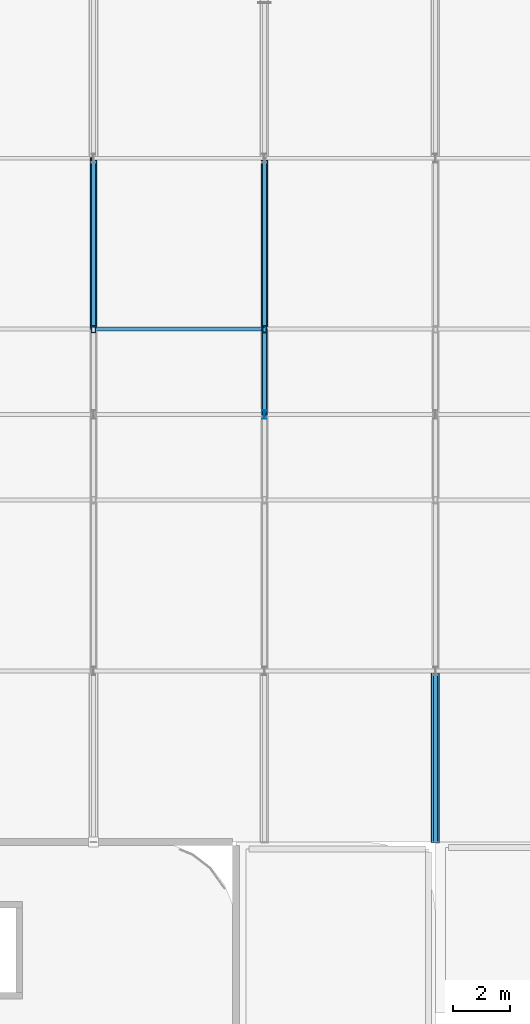
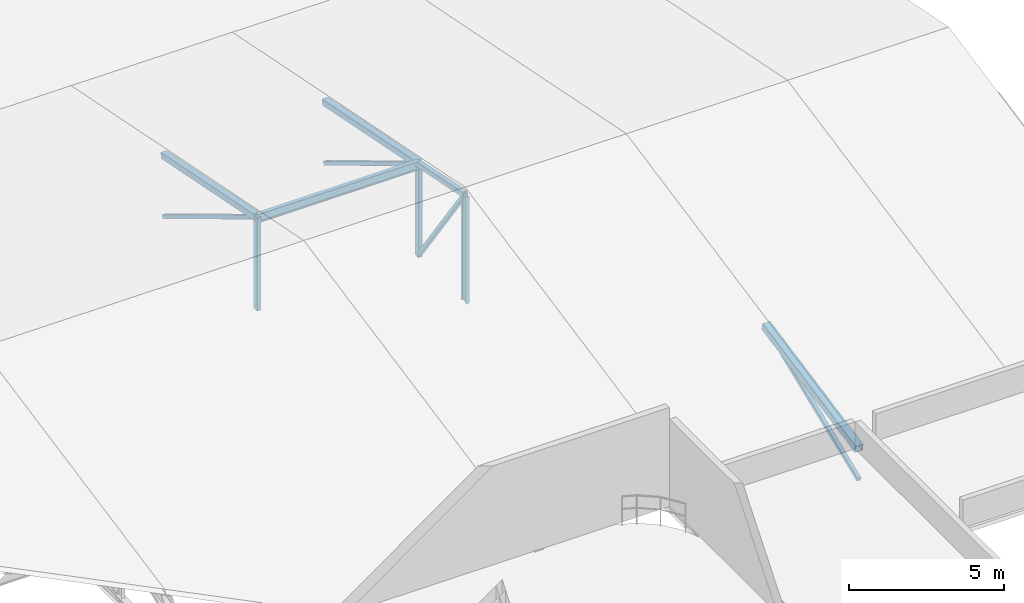
# One storey, part 32 of 83: 8 members, 4 beams.
"""IFC4 building model written with IfcOpenShell, lengths in metres."""

from ifc_helpers import new_model, si_unit, direction, frame, origin, origin_2d, place, context, subcontext, project, spatial, hollow_rectangle, i_section, extrude, material, material_profile, profile_set, type_object, element, save


model = new_model("IFC4")

# Units and contexts
model_context = context("Model", 3, precision=1e-05, world=origin(), true_north=direction((0.0, 1.0)))
body_context = subcontext(model_context, "Body", "Model", "MODEL_VIEW")
ifc_project = project(units=[si_unit("LENGTHUNIT", "METRE"), si_unit("AREAUNIT", "SQUARE_METRE"), si_unit("VOLUMEUNIT", "CUBIC_METRE"), si_unit("PLANEANGLEUNIT", "RADIAN"), si_unit("MASSUNIT", "GRAM", prefix="KILO")], contexts=[model_context])

# Site, building, storey
site_placement = place(None, origin())
site = spatial("IfcSite", under=ifc_project, at=site_placement, CompositionType="ELEMENT")
building_placement = place(site_placement, origin())
building = spatial("IfcBuilding", under=site, at=building_placement, Name="Varnakota Square Police Headquarters", CompositionType="ELEMENT")
storey_placement = place(building_placement, frame((0.0, 0.0, 18.0)))
storey = spatial("IfcBuildingStorey", under=building, at=storey_placement, Name="L04", CompositionType="ELEMENT", Elevation=18.0)

# Beams
ifc_material = material(Name="Steel IS 2062 Grade 350", Category="steel")
ifc_material_profile_1 = material_profile(ifc_material, hollow_rectangle(XDim=0.199951171875, YDim=0.199951171875, WallThickness=0.010009765625, InnerFilletRadius=0.010009765625, OuterFilletRadius=0.02001953125, at=origin_2d()), Name="SHS 200x200x10")
ifc_profile_set_1 = profile_set([ifc_material_profile_1], Name="Steel IS 2062 Grade 350")
beam_type_1 = type_object("IfcBeamType", Name="BM-TR-SHS200", PredefinedType="BEAM", material=ifc_profile_set_1)
beam_1_placement = place(storey_placement, frame((36.0, 90.0, 2.719970703125), z_axis=(0.0, 0.980589882373, -0.196070096109), x_axis=(-1.0, 0.0, 0.0)))
element("IfcBeam", 1, at=beam_1_placement, inside=storey, type_object=beam_type_1, Name="ROOF TRUSS top chord T5-P4", PredefinedType="BEAM", context=body_context, shape_type="SweptSolid", body=[
    extrude(hollow_rectangle(XDim=0.199951171875, YDim=0.199951171875, WallThickness=0.010009765625, InnerFilletRadius=0.010009765625, OuterFilletRadius=0.02001953125, at=origin_2d()), origin(), (0.0, 0.0, 1.0), 3.059326171875),
])
ifc_material_profile_2 = material_profile(ifc_material, hollow_rectangle(XDim=0.25, YDim=0.25, WallThickness=0.011962890625, InnerFilletRadius=0.011962890625, OuterFilletRadius=0.02392578125, at=origin_2d()), Name="SHS 250x250x12")
ifc_profile_set_2 = profile_set([ifc_material_profile_2], Name="Steel IS 2062 Grade 350")
beam_type_2 = type_object("IfcBeamType", Name="BM-TR-SHS250", PredefinedType="BEAM", material=ifc_profile_set_2)
for number, where, z_axis, x_axis, name in (
    (2, (30.0, 93.0, 2.1201171875), (0.0, 0.980574536798, -0.196146827104), (-1.0, 0.0, 0.0), "ROOF TRUSS top chord T4-P5"),
    (3, (36.0, 93.0, 2.1201171875), (0.0, 0.980574536798, -0.196146827104), (-1.0, 0.0, 0.0), "ROOF TRUSS top chord T5-P5"),
):
    element("IfcBeam", number, at=place(storey_placement, frame(where, z_axis=z_axis, x_axis=x_axis)), inside=storey, type_object=beam_type_2, Name=name, PredefinedType="BEAM", context=body_context, shape_type="SweptSolid", body=[
        extrude(hollow_rectangle(XDim=0.25, YDim=0.25, WallThickness=0.011962890625, InnerFilletRadius=0.011962890625, OuterFilletRadius=0.02392578125, at=origin_2d()), origin(), (0.0, 0.0, 1.0), 6.118896484375),
    ])
ifc_material_profile_3 = material_profile(ifc_material, hollow_rectangle(XDim=0.300048828125, YDim=0.300048828125, WallThickness=0.01611328125, InnerFilletRadius=0.01611328125, OuterFilletRadius=0.031982421875, at=origin_2d()), Name="SHS 300x300x16")
ifc_profile_set_3 = profile_set([ifc_material_profile_3], Name="Steel IS 2062 Grade 350")
beam_type_3 = type_object("IfcBeamType", Name="BM-TR-SHS300", PredefinedType="BEAM", material=ifc_profile_set_3)
beam_2_placement = place(storey_placement, frame((42.0, 75.0, -0.280029296875), z_axis=(0.0, 0.980582210276, 0.196108462057), x_axis=(-1.0, 0.0, 0.0)))
element("IfcBeam", 4, at=beam_2_placement, inside=storey, type_object=beam_type_3, Name="ROOF TRUSS top chord T6-P1", PredefinedType="BEAM", context=body_context, shape_type="SweptSolid", body=[
    extrude(hollow_rectangle(XDim=0.300048828125, YDim=0.300048828125, WallThickness=0.01611328125, InnerFilletRadius=0.01611328125, OuterFilletRadius=0.031982421875, at=origin_2d()), origin(), (0.0, 0.0, 1.0), 6.118896484375),
])

# Members
ifc_material_profile_4 = material_profile(ifc_material, hollow_rectangle(XDim=0.14990234375, YDim=0.14990234375, WallThickness=0.008056640625, InnerFilletRadius=0.008056640625, OuterFilletRadius=0.01611328125, at=origin_2d()), Name="SHS 150x150x8")
ifc_profile_set_4 = profile_set([ifc_material_profile_4], Name="Steel IS 2062 Grade 350")
member_type_1 = type_object("IfcMemberType", Name="MEM-BR-SHS150", PredefinedType="BRACE", material=ifc_profile_set_4)
member_1_placement = place(storey_placement, frame((30.0, 93.0, 2.1201171875), z_axis=(0.0, 0.856223797044, -0.516605080671), x_axis=(-1.0, 0.0, 0.0)))
element("IfcMember", 5, at=member_1_placement, inside=storey, type_object=member_type_1, Name="ROOF TRUSS diagonal web T4-P5", PredefinedType="BRACE", context=body_context, shape_type="SweptSolid", body=[
    extrude(hollow_rectangle(XDim=0.14990234375, YDim=0.14990234375, WallThickness=0.008056640625, InnerFilletRadius=0.008056640625, OuterFilletRadius=0.01611328125, at=origin_2d()), origin(), (0.0, 0.0, 1.0), 7.007568359375),
])
member_2_placement = place(storey_placement, frame((36.0, 90.0, 2.719970703125), z_axis=(0.0, 0.579412433141, -0.815034497627), x_axis=(-1.0, 0.0, 0.0)))
element("IfcMember", 6, at=member_2_placement, inside=storey, type_object=member_type_1, Name="ROOF TRUSS diagonal web T5-P4", PredefinedType="BRACE", context=body_context, shape_type="SweptSolid", body=[
    extrude(hollow_rectangle(XDim=0.14990234375, YDim=0.14990234375, WallThickness=0.008056640625, InnerFilletRadius=0.008056640625, OuterFilletRadius=0.01611328125, at=origin_2d()), origin(), (0.0, 0.0, 1.0), 5.177734375),
])
member_3_placement = place(storey_placement, frame((36.0, 93.0, 2.1201171875), z_axis=(0.0, 0.856223797044, -0.516605080671), x_axis=(-1.0, 0.0, 0.0)))
element("IfcMember", 7, at=member_3_placement, inside=storey, type_object=member_type_1, Name="ROOF TRUSS diagonal web T5-P5", PredefinedType="BRACE", context=body_context, shape_type="SweptSolid", body=[
    extrude(hollow_rectangle(XDim=0.14990234375, YDim=0.14990234375, WallThickness=0.008056640625, InnerFilletRadius=0.008056640625, OuterFilletRadius=0.01611328125, at=origin_2d()), origin(), (0.0, 0.0, 1.0), 7.007568359375),
])
member_4_placement = place(storey_placement, frame((42.0, 75.0, -1.5), z_axis=(0.0, 0.927411070394, 0.374043722727), x_axis=(-1.0, 0.0, 0.0)))
element("IfcMember", 8, at=member_4_placement, inside=storey, type_object=member_type_1, Name="ROOF TRUSS diagonal web T6-P1", PredefinedType="BRACE", context=body_context, shape_type="SweptSolid", body=[
    extrude(hollow_rectangle(XDim=0.14990234375, YDim=0.14990234375, WallThickness=0.008056640625, InnerFilletRadius=0.008056640625, OuterFilletRadius=0.01611328125, at=origin_2d()), origin(), (0.0, 0.0, 1.0), 6.4697265625),
])
ifc_material_profile_5 = material_profile(ifc_material, i_section(OverallWidth=0.139892578125, OverallDepth=0.35009765625, WebThickness=0.008056640625, FlangeThickness=0.01416015625, FilletRadius=0.013916015625, at=origin_2d()), Name="ISMB 350")
ifc_profile_set_5 = profile_set([ifc_material_profile_5], Name="Steel IS 2062 Grade 350")
member_type_2 = type_object("IfcMemberType", Name="MEM-PUR-ISMB350", PredefinedType="PURLIN", material=ifc_profile_set_5)
member_5_placement = place(storey_placement, frame((30.0, 93.0, 2.074951171875), z_axis=(1.0, 0.0, 0.0), x_axis=(0.0, 1.0, 0.0)))
element("IfcMember", 9, at=member_5_placement, inside=storey, type_object=member_type_2, Name="Tactical hall purlin B4-Y93", PredefinedType="PURLIN", context=body_context, shape_type="SweptSolid", body=[
    extrude(i_section(OverallWidth=0.139892578125, OverallDepth=0.35009765625, WebThickness=0.008056640625, FlangeThickness=0.01416015625, FilletRadius=0.013916015625, at=origin_2d()), origin(), (0.0, 0.0, 1.0), 6.0),
])
ifc_material_profile_6 = material_profile(ifc_material, i_section(OverallWidth=0.139892578125, OverallDepth=0.300048828125, WebThickness=0.0078125, FlangeThickness=0.01318359375, FilletRadius=0.013916015625, at=origin_2d()), Name="ISMB 300")
ifc_profile_set_6 = profile_set([ifc_material_profile_6], Name="Steel IS 2062 Grade 350")
member_type_3 = type_object("IfcMemberType", Name="MEM-STR-ISMB300", PredefinedType="STRUT", material=ifc_profile_set_6)
member_6_placement = place(storey_placement, frame((36.0, 90.0, -1.5), z_axis=(0.0, 0.0, 1.0), x_axis=(1.0, 0.0, 0.0)))
element("IfcMember", 10, at=member_6_placement, inside=storey, type_object=member_type_3, Name="ROOF TRUSS vertical strut T5-V3", PredefinedType="STRUT", context=body_context, shape_type="SweptSolid", body=[
    extrude(i_section(OverallWidth=0.139892578125, OverallDepth=0.300048828125, WebThickness=0.0078125, FlangeThickness=0.01318359375, FilletRadius=0.013916015625, at=origin_2d()), origin(), (0.0, 0.0, 1.0), 4.219970703125),
])
ifc_material_profile_7 = material_profile(ifc_material, hollow_rectangle(XDim=0.14990234375, YDim=0.25, WallThickness=0.010009765625, InnerFilletRadius=0.010009765625, OuterFilletRadius=0.02001953125, at=origin_2d()), Name="RHS 250x150x10")
ifc_profile_set_7 = profile_set([ifc_material_profile_7], Name="Steel IS 2062 Grade 350")
member_type_4 = type_object("IfcMemberType", Name="MEM-STR-RHS250", PredefinedType="STRUT", material=ifc_profile_set_7)
for number, where, z_axis, x_axis, name in (
    (11, (30.0, 93.0, -1.5), (0.0, 0.0, 1.0), (1.0, 0.0, 0.0), "ROOF TRUSS vertical strut T4-V4"),
    (12, (36.0, 93.0, -1.5), (0.0, 0.0, 1.0), (1.0, 0.0, 0.0), "ROOF TRUSS vertical strut T5-V4"),
):
    element("IfcMember", number, at=place(storey_placement, frame(where, z_axis=z_axis, x_axis=x_axis)), inside=storey, type_object=member_type_4, Name=name, PredefinedType="STRUT", context=body_context, shape_type="SweptSolid", body=[
        extrude(hollow_rectangle(XDim=0.14990234375, YDim=0.25, WallThickness=0.010009765625, InnerFilletRadius=0.010009765625, OuterFilletRadius=0.02001953125, at=origin_2d()), origin(), (0.0, 0.0, 1.0), 3.6201171875),
    ])

save(model, "model.ifc")
